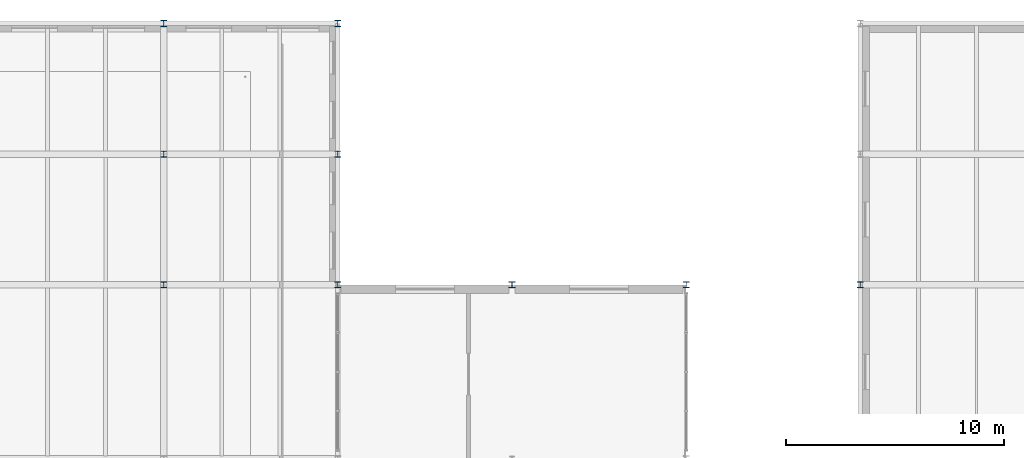
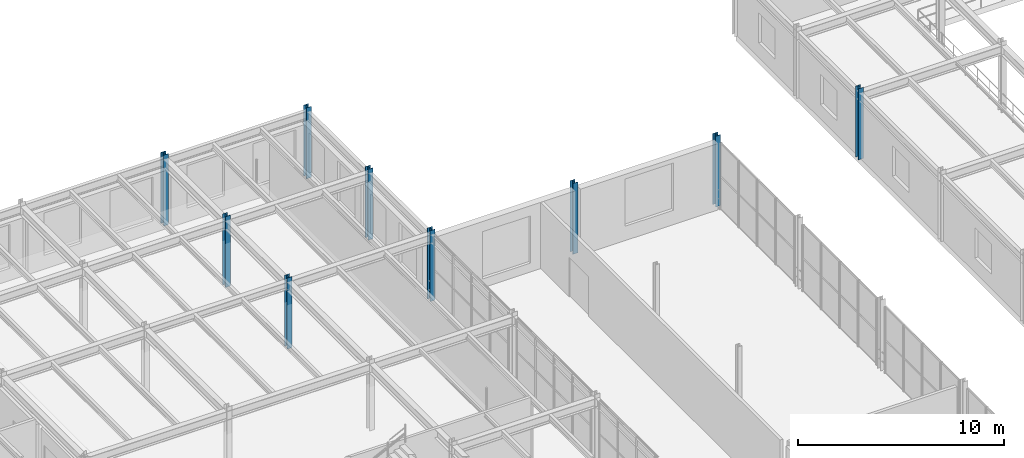
# One storey, part 13 of 122: 9 columns.
"""IFC4 building model written with IfcOpenShell, lengths in metres."""

import ifcopenshell
import ifcopenshell.guid

model = None  # the IFC model being written
_history = None  # IfcOwnerHistory: only IFC2X3 demands one
_inside = {}  # id of a spatial element -> (the spatial element, [elements in it])
_under = {}  # id of a project, library or spatial element -> (it, [spatial elements below it])
_declared = {}  # id of a project -> (the project, [libraries it declares])
_typed = {}  # id of a type object -> (the type object, [elements of that type])
_made_of = {}  # id of a material, layer set ... -> (it, [elements and type objects made of it])


def new_model(schema):
    """Start an empty IFC model of exactly this schema.

    Asked for "IFC4X3", IfcOpenShell would pick the latest addendum, in which some entities
    have other attributes; the version numbers below select the first issue.
    IFC2X3 requires an IfcOwnerHistory on every rooted entity: one is made here for all.
    """
    global model, _history
    if schema == "IFC4X3":
        model = ifcopenshell.file(schema_version=(4, 3, 0, 0))
    else:
        model = ifcopenshell.file(schema=schema)
    _inside.clear()
    _under.clear()
    _declared.clear()
    _typed.clear()
    _made_of.clear()
    _history = None
    if model.schema == "IFC2X3":
        org = make("IfcOrganization", Name="unknown")
        user = make(
            "IfcPersonAndOrganization",
            ThePerson=make("IfcPerson", FamilyName="unknown"),
            TheOrganization=org,
        )
        app = make(
            "IfcApplication",
            ApplicationDeveloper=org,
            Version="unknown",
            ApplicationFullName="unknown",
            ApplicationIdentifier="unknown",
        )
        _history = make(
            "IfcOwnerHistory",
            OwningUser=user,
            OwningApplication=app,
            ChangeAction="ADDED",
            CreationDate=0,
        )
    return model


def make(cls, **values):
    """One entity of the class cls with the attributes given. An attribute that is None is left unset."""
    return model.create_entity(
        cls, **{name: value for name, value in values.items() if value is not None}
    )


def rooted(cls, **values):
    """An entity with a GlobalId (a new one), such as an element, a storey or a relation."""
    return make(cls, GlobalId=ifcopenshell.guid.new(), OwnerHistory=_history, **values)


def si_unit(unit_type, name, prefix=None):
    """IfcSIUnit, for example si_unit("LENGTHUNIT", "METRE", prefix="MILLI")."""
    return make("IfcSIUnit", UnitType=unit_type, Prefix=prefix, Name=name)


def assignment(units):
    """IfcUnitAssignment: the units of a project."""
    return None if units is None else make("IfcUnitAssignment", Units=units)


def point(xyz):
    """IfcCartesianPoint."""
    return None if xyz is None else make("IfcCartesianPoint", Coordinates=xyz)


def direction(xyz):
    """IfcDirection."""
    return None if xyz is None else make("IfcDirection", DirectionRatios=xyz)


def frame(location, z_axis=None, x_axis=None):
    """IfcAxis2Placement3D, a coordinate frame: its origin and axes. An axis left out is left unset."""
    return make(
        "IfcAxis2Placement3D",
        Location=point(location),
        Axis=direction(z_axis),
        RefDirection=direction(x_axis),
    )


def frame_2d(location, x_axis=None):
    """IfcAxis2Placement2D, a coordinate frame in the plane: its origin and x axis."""
    return make(
        "IfcAxis2Placement2D", Location=point(location), RefDirection=direction(x_axis)
    )


def origin():
    """The frame at (0, 0, 0) with its axes left unset."""
    return frame((0.0, 0.0, 0.0))


def origin_2d():
    """The frame at (0, 0) in the plane with its x axis left unset."""
    return frame_2d((0.0, 0.0))


def place(relative_to, where):
    """IfcLocalPlacement: puts the frame where relative to a parent placement (None: the world)."""
    return make(
        "IfcLocalPlacement", PlacementRelTo=relative_to, RelativePlacement=where
    )


def context(
    kind, dimensions, precision=None, world=None, true_north=None, identifier=None
):
    """IfcGeometricRepresentationContext, for example the 3D "Model" context."""
    return make(
        "IfcGeometricRepresentationContext",
        ContextIdentifier=identifier,
        ContextType=kind,
        CoordinateSpaceDimension=dimensions,
        Precision=precision,
        WorldCoordinateSystem=world,
        TrueNorth=true_north,
    )


def subcontext(parent, identifier, kind, view, scale=None):
    """IfcGeometricRepresentationSubContext, for example "Body" below "Model"."""
    return make(
        "IfcGeometricRepresentationSubContext",
        ContextIdentifier=identifier,
        ContextType=kind,
        ParentContext=parent,
        TargetScale=scale,
        TargetView=view,
    )


def project(units=None, contexts=None):
    """IfcProject with its units and contexts."""
    return rooted(
        "IfcProject",
        Name="project",
        RepresentationContexts=contexts,
        UnitsInContext=assignment(units),
    )


def spatial(cls, under=None, at=None, **own):
    """A site, building, storey or space (cls), placed at a placement, below another one or the project."""
    s = rooted(cls, ObjectPlacement=at, **own)
    if under is not None:
        _under.setdefault(under.id(), (under, []))[1].append(s)
    return s


def profile(cls, at=None, kind="AREA", **sizes):
    """A parametric profile (cls). Its sizes go by their IFC names, for example OverallWidth=200.0."""
    return make(cls, ProfileType=kind, Position=at, **sizes)


def i_section(**sizes):
    """IfcIShapeProfileDef."""
    return profile("IfcIShapeProfileDef", **sizes)


def extrude(swept, where, along, depth):
    """IfcExtrudedAreaSolid: the profile swept, set in the frame where, extruded along a direction by depth."""
    return make(
        "IfcExtrudedAreaSolid",
        SweptArea=swept,
        Position=where,
        ExtrudedDirection=direction(along),
        Depth=depth,
    )


def shape(context_of_items, identifier, shape_type, items):
    """IfcShapeRepresentation: the items that make up one representation, for example the "Body"."""
    return make(
        "IfcShapeRepresentation",
        ContextOfItems=context_of_items,
        RepresentationIdentifier=identifier,
        RepresentationType=shape_type,
        Items=items,
    )


def material(Name=None, Category=None):
    """IfcMaterial."""
    return make("IfcMaterial", Name=Name, Category=Category)


def material_profile(
    of_material, cross_section, Name=None, Category=None, Priority=None
):
    """IfcMaterialProfile: a cross section and its material."""
    return make(
        "IfcMaterialProfile",
        Name=Name,
        Material=of_material,
        Profile=cross_section,
        Priority=Priority,
        Category=Category,
    )


def profile_set(profiles, Name=None, composite=None):
    """IfcMaterialProfileSet."""
    return make(
        "IfcMaterialProfileSet",
        Name=Name,
        MaterialProfiles=profiles,
        CompositeProfile=composite,
    )


def made_of(thing, what):
    """Note that an element or type object is made of a material, layer set ...; save() writes the relation."""
    if what is not None:
        _made_of.setdefault(what.id(), (what, []))[1].append(thing)
    return thing


def type_object(cls, material=None, **own):
    """A type object (cls), such as IfcWallType, which elements share."""
    return made_of(rooted(cls, **own), material)


def element(
    cls,
    number,
    at=None,
    inside=None,
    cuts=None,
    type_object=None,
    material=None,
    context=None,
    identifier="Body",
    shape_type=None,
    held_by="IfcProductDefinitionShape",
    body=None,
    shapes=None,
    **own,
):
    """One element of the class cls, such as IfcWall. Its Tag is "e" and its number.

    at: its placement. inside: the storey or other place that contains it. cuts: it is an
    opening in that element (IfcRelVoidsElement). A single representation is given by context,
    identifier, shape_type and body (its items); several are given by shapes. held_by: the class
    of the entity that holds the representations. save() writes the other relations.
    """
    e = rooted(cls, Tag="e%d" % number, ObjectPlacement=at, **own)
    if body is not None:
        shapes = [shape(context, identifier, shape_type, body)]
    if shapes is not None:
        e.Representation = make(held_by, Representations=shapes)
    if inside is not None:
        _inside.setdefault(inside.id(), (inside, []))[1].append(e)
    if cuts is not None:
        rooted(
            "IfcRelVoidsElement", RelatingBuildingElement=cuts, RelatedOpeningElement=e
        )
    if type_object is not None:
        _typed.setdefault(type_object.id(), (type_object, []))[1].append(e)
    return made_of(e, material)


def aggregate(whole, parts):
    """IfcRelAggregates: a whole, such as a stair, and the parts it consists of."""
    return rooted("IfcRelAggregates", RelatingObject=whole, RelatedObjects=parts)


def save(model, path):
    """Write the relations noted so far, then the file.

    IfcRelAggregates (storeys below a building ...), IfcRelContainedInSpatialStructure (elements
    in a storey), IfcRelDefinesByType, IfcRelAssociatesMaterial and IfcRelDeclares: one each for
    every whole, place, type object, material and project.
    """
    for whole, parts in _under.values():
        aggregate(whole, parts)
    for where, things in _inside.values():
        rooted(
            "IfcRelContainedInSpatialStructure",
            RelatedElements=things,
            RelatingStructure=where,
        )
    for kind, things in _typed.values():
        rooted("IfcRelDefinesByType", RelatedObjects=things, RelatingType=kind)
    for what, things in _made_of.values():
        rooted("IfcRelAssociatesMaterial", RelatedObjects=things, RelatingMaterial=what)
    for by, libraries in _declared.values():
        rooted("IfcRelDeclares", RelatingContext=by, RelatedDefinitions=libraries)
    model.write(path)


model = new_model("IFC4")

# Units and contexts
model_context = context("Model", 3, precision=1e-05, world=origin(), true_north=direction((0.0, 1.0)))
body_context = subcontext(model_context, "Body", "Model", "MODEL_VIEW")
ifc_project = project(units=[si_unit("LENGTHUNIT", "METRE"), si_unit("AREAUNIT", "SQUARE_METRE"), si_unit("VOLUMEUNIT", "CUBIC_METRE"), si_unit("PLANEANGLEUNIT", "RADIAN"), si_unit("MASSUNIT", "GRAM", prefix="KILO")], contexts=[model_context])

# Site, building, storey
site_placement = place(None, origin())
site = spatial("IfcSite", under=ifc_project, at=site_placement, CompositionType="ELEMENT")
building_placement = place(site_placement, origin())
building = spatial("IfcBuilding", under=site, at=building_placement, Name="Sundkrona Museum", CompositionType="ELEMENT")
storey_placement = place(building_placement, frame((0.0, 0.0, 5.39990234375)))
storey = spatial("IfcBuildingStorey", under=building, at=storey_placement, Name="L01", CompositionType="ELEMENT", Elevation=5.39990234375)

# Columns
ifc_material = material(Name="Steel S355J2", Category="steel")
ifc_material_profile = material_profile(ifc_material, i_section(OverallWidth=0.280029296875, OverallDepth=0.280029296875, WebThickness=0.010498046875, FlangeThickness=0.01806640625, FilletRadius=0.02392578125, at=origin_2d()), Name="HEB 280")
ifc_profile_set = profile_set([ifc_material_profile], Name="Steel S355J2")
column_type = type_object("IfcColumnType", Name="C-HEB280", PredefinedType="COLUMN", material=ifc_profile_set)
for number, where, z_axis, x_axis, name in (
    (1, (72.0, 102.0, 0.0), (0.0, 0.0, 1.0), (1.0, 0.0, 0.0), "L01 Column P/10"),
    (2, (72.0, 108.0, 0.0), (0.0, 0.0, 1.0), (1.0, 0.0, 0.0), "L01 Column Q/10"),
    (3, (72.0, 114.0, 0.0), (0.0, 0.0, 1.0), (1.0, 0.0, 0.0), "L01 Column R/10"),
    (4, (80.0, 102.0, 0.0), (0.0, 0.0, 1.0), (1.0, 0.0, 0.0), "L01 Column P/11"),
    (5, (80.0, 108.0, 0.0), (0.0, 0.0, 1.0), (1.0, 0.0, 0.0), "L01 Column Q/11"),
    (6, (80.0, 114.0, 0.0), (0.0, 0.0, 1.0), (1.0, 0.0, 0.0), "L01 Column R/11"),
    (7, (88.0, 102.0, 0.0), (0.0, 0.0, 1.0), (1.0, 0.0, 0.0), "L01 Column P/12"),
    (8, (96.0, 102.0, 0.0), (0.0, 0.0, 1.0), (1.0, 0.0, 0.0), "L01 Column P/13"),
    (9, (104.0, 102.0, 0.0), (0.0, 0.0, 1.0), (1.0, 0.0, 0.0), "L01 Column P/14"),
):
    element("IfcColumn", number, at=place(storey_placement, frame(where, z_axis=z_axis, x_axis=x_axis)), inside=storey, type_object=column_type, Name=name, PredefinedType="COLUMN", context=body_context, shape_type="SweptSolid", body=[
        extrude(i_section(OverallWidth=0.280029296875, OverallDepth=0.280029296875, WebThickness=0.010498046875, FlangeThickness=0.01806640625, FilletRadius=0.02392578125, at=origin_2d()), origin(), (0.0, 0.0, 1.0), 4.2001953125),
    ])

save(model, "model.ifc")
